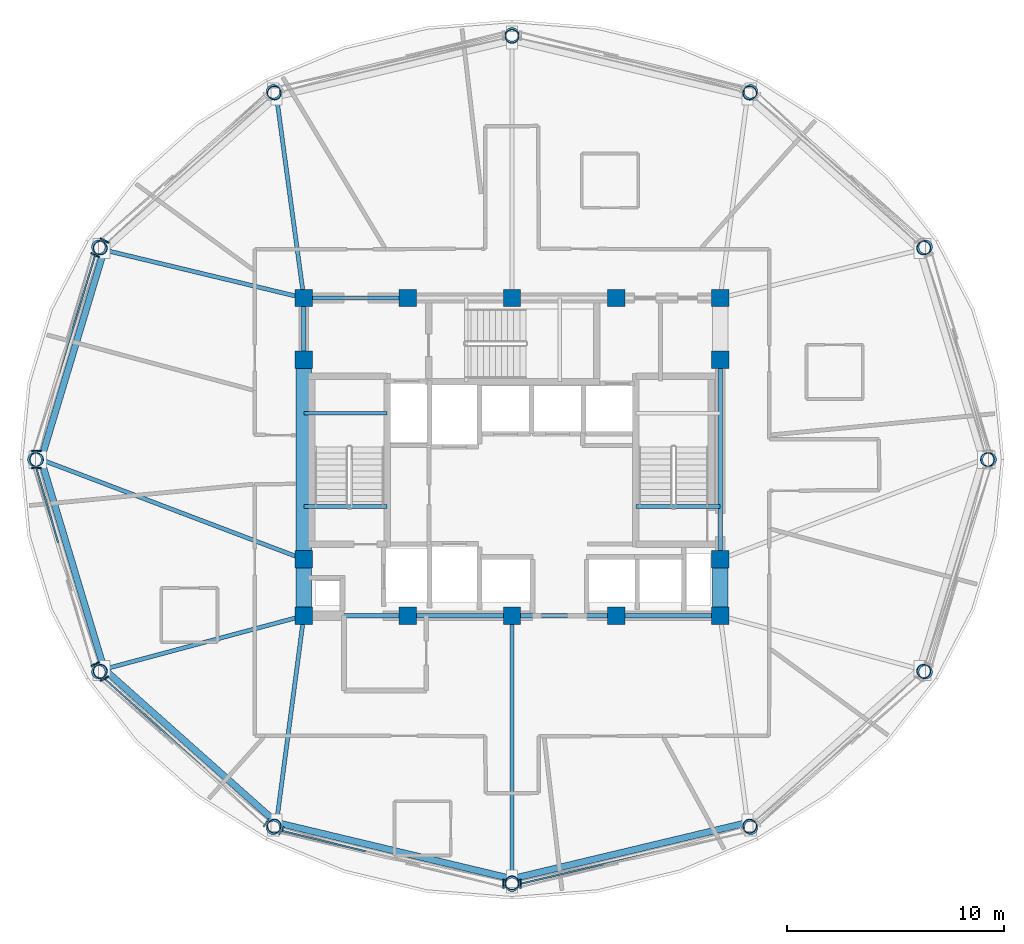
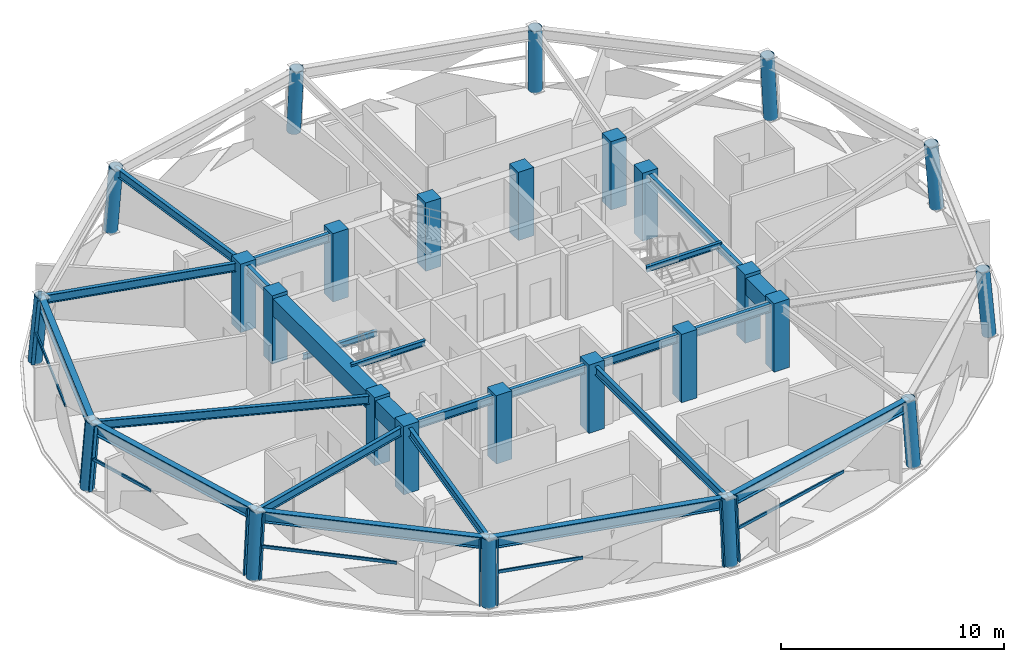
# One storey, part 1 of 11: 26 columns, 24 beams, 15 members, 6 elements without a shape of their own.
"""IFC4 building model written with IfcOpenShell, lengths in metres."""

from ifc_helpers import new_model, si_unit, direction, frame, origin, origin_2d, place, context, subcontext, project, spatial, rectangle, hollow_rectangle, hollow_circle, i_section, extrude, material, layer, layer_set, material_profile, profile_set, type_object, element, aggregate, save


model = new_model("IFC4")

# Units and contexts
model_context = context("Model", 3, precision=1e-05, world=origin(), true_north=direction((0.0, 1.0)))
body_context = subcontext(model_context, "Body", "Model", "MODEL_VIEW")
ifc_project = project(units=[si_unit("LENGTHUNIT", "METRE"), si_unit("AREAUNIT", "SQUARE_METRE"), si_unit("VOLUMEUNIT", "CUBIC_METRE"), si_unit("PLANEANGLEUNIT", "RADIAN"), si_unit("MASSUNIT", "GRAM", prefix="KILO")], contexts=[model_context])

# Site, building, storey
site_placement = place(None, origin())
site = spatial("IfcSite", under=ifc_project, at=site_placement, CompositionType="ELEMENT")
building_placement = place(site_placement, origin())
building = spatial("IfcBuilding", under=site, at=building_placement, Name="Vantalir Tower", CompositionType="ELEMENT")
storey_placement = place(building_placement, frame((0.0, 0.0, 231.14990234375)))
storey = spatial("IfcBuildingStorey", under=building, at=storey_placement, Name="L58", CompositionType="ELEMENT", Elevation=231.14990234375)

# Columns
ifc_material_1 = material(Name="Concrete C50/60", Category="concrete")
ifc_material_profile_1 = material_profile(ifc_material_1, rectangle(XDim=0.800048828125, YDim=0.800048828125, at=origin_2d()), Name="Concrete C50/60")
ifc_profile_set_1 = profile_set([ifc_material_profile_1], Name="Concrete C50/60")
column_type_1 = type_object("IfcColumnType", Name="COL-CC-800", PredefinedType="COLUMN", material=ifc_profile_set_1)
for number, where, z_axis, x_axis, name in (
    (1, (21.89990234375, 17.800048828125, 0.0), (0.0, 0.0, 1.0), (1.0, 0.0, 0.0), "L58 Core Column CC01"),
    (2, (26.699951171875, 17.800048828125, 0.0), (0.0, 0.0, 1.0), (1.0, 0.0, 0.0), "L58 Core Column CC02"),
    (3, (31.5, 17.800048828125, 0.0), (0.0, 0.0, 1.0), (1.0, 0.0, 0.0), "L58 Core Column CC03"),
    (4, (36.300048828125, 17.800048828125, 0.0), (0.0, 0.0, 1.0), (1.0, 0.0, 0.0), "L58 Core Column CC04"),
    (5, (41.10009765625, 17.800048828125, 0.0), (0.0, 0.0, 1.0), (1.0, 0.0, 0.0), "L58 Core Column CC05"),
    (6, (21.89990234375, 20.39990234375, 0.0), (0.0, 0.0, 1.0), (1.0, 0.0, 0.0), "L58 Core Column CC06"),
    (7, (21.89990234375, 29.60009765625, 0.0), (0.0, 0.0, 1.0), (1.0, 0.0, 0.0), "L58 Core Column CC07"),
    (8, (41.10009765625, 20.39990234375, 0.0), (0.0, 0.0, 1.0), (1.0, 0.0, 0.0), "L58 Core Column CC08"),
    (9, (41.10009765625, 29.60009765625, 0.0), (0.0, 0.0, 1.0), (1.0, 0.0, 0.0), "L58 Core Column CC09"),
    (10, (21.89990234375, 32.449951171875, 0.0), (0.0, 0.0, 1.0), (1.0, 0.0, 0.0), "L58 Core Column CC10"),
    (11, (26.699951171875, 32.449951171875, 0.0), (0.0, 0.0, 1.0), (1.0, 0.0, 0.0), "L58 Core Column CC11"),
    (12, (31.5, 32.449951171875, 0.0), (0.0, 0.0, 1.0), (1.0, 0.0, 0.0), "L58 Core Column CC12"),
    (13, (36.300048828125, 32.449951171875, 0.0), (0.0, 0.0, 1.0), (1.0, 0.0, 0.0), "L58 Core Column CC13"),
    (14, (41.10009765625, 32.449951171875, 0.0), (0.0, 0.0, 1.0), (1.0, 0.0, 0.0), "L58 Core Column CC14"),
):
    element("IfcColumn", number, at=place(storey_placement, frame(where, z_axis=z_axis, x_axis=x_axis)), inside=storey, type_object=column_type_1, Name=name, PredefinedType="COLUMN", context=body_context, shape_type="SweptSolid", body=[
        extrude(rectangle(XDim=0.800048828125, YDim=0.800048828125, at=origin_2d()), origin(), (0.0, 0.0, 1.0), 3.75),
    ])
ifc_material_2 = material(Name="Steel S460", Category="steel")
ifc_material_profile_2 = material_profile(ifc_material_2, hollow_circle(Radius=0.324951171875, WallThickness=0.030029296875, at=origin_2d()), Name="Steel S460")
ifc_profile_set_2 = profile_set([ifc_material_profile_2], Name="Steel S460")
column_type_2 = type_object("IfcColumnType", Name="COL-RC-650", PredefinedType="COLUMN", material=ifc_profile_set_2)
column_1_placement = place(storey_placement, frame((53.512939453125, 25.0, 0.0), z_axis=(-0.082329144084, 0.0, 0.996605193662), x_axis=(0.0, -1.0, 0.0)))
element("IfcColumn", 15, at=column_1_placement, inside=storey, type_object=column_type_2, Name="L58 Perimeter Ring Column RC01", PredefinedType="COLUMN", context=body_context, shape_type="SweptSolid", body=[
    extrude(hollow_circle(Radius=0.324951171875, WallThickness=0.030029296875, at=origin_2d()), origin(), (0.0, 0.0, 1.0), 3.582275390625),
])
column_2_placement = place(storey_placement, frame((50.56396484375, 34.798095703125, 0.0), z_axis=(-0.071435950433, -0.036876764489, 0.996763266391), x_axis=(0.458707712007, -0.888587212909, 0.0)))
element("IfcColumn", 16, at=column_2_placement, inside=storey, type_object=column_type_2, Name="L58 Perimeter Ring Column RC02", PredefinedType="COLUMN", context=body_context, shape_type="SweptSolid", body=[
    extrude(hollow_circle(Radius=0.324951171875, WallThickness=0.030029296875, at=origin_2d()), origin(), (0.0, 0.0, 1.0), 3.58154296875),
])
column_3_placement = place(storey_placement, frame((42.506103515625, 41.970947265625, 0.0), z_axis=(-0.041117747855, -0.063688186562, 0.997122432655), x_axis=(0.840124770812, -0.542393187152, 0.0)))
element("IfcColumn", 17, at=column_3_placement, inside=storey, type_object=column_type_2, Name="L58 Perimeter Ring Column RC03", PredefinedType="COLUMN", context=body_context, shape_type="SweptSolid", body=[
    extrude(hollow_circle(Radius=0.324951171875, WallThickness=0.030029296875, at=origin_2d()), origin(), (0.0, 0.0, 1.0), 3.580322265625),
])
column_4_placement = place(storey_placement, frame((31.5, 44.595947265625, 0.0), z_axis=(0.0, -0.073452147018, 0.997298742654), x_axis=(1.0, 0.0, 0.0)))
element("IfcColumn", 18, at=column_4_placement, inside=storey, type_object=column_type_2, Name="L58 Perimeter Ring Column RC04", PredefinedType="COLUMN", context=body_context, shape_type="SweptSolid", body=[
    extrude(hollow_circle(Radius=0.324951171875, WallThickness=0.030029296875, at=origin_2d()), origin(), (0.0, 0.0, 1.0), 3.579833984375),
])
column_5_placement = place(storey_placement, frame((20.493896484375, 41.970947265625, 0.0), z_axis=(0.041117747855, -0.063688186562, 0.997122432655), x_axis=(0.840124770812, 0.542393187152, 0.0)))
element("IfcColumn", 19, at=column_5_placement, inside=storey, type_object=column_type_2, Name="L58 Perimeter Ring Column RC05", PredefinedType="COLUMN", context=body_context, shape_type="SweptSolid", body=[
    extrude(hollow_circle(Radius=0.324951171875, WallThickness=0.030029296875, at=origin_2d()), origin(), (0.0, 0.0, 1.0), 3.580322265625),
])
column_6_placement = place(storey_placement, frame((12.43603515625, 34.798095703125, 0.0), z_axis=(0.071435950433, -0.036876764489, 0.996763266391), x_axis=(0.458707712007, 0.888587212909, 0.0)))
element("IfcColumn", 20, at=column_6_placement, inside=storey, type_object=column_type_2, Name="L58 Perimeter Ring Column RC06", PredefinedType="COLUMN", context=body_context, shape_type="SweptSolid", body=[
    extrude(hollow_circle(Radius=0.324951171875, WallThickness=0.030029296875, at=origin_2d()), origin(), (0.0, 0.0, 1.0), 3.58154296875),
])
column_7_placement = place(storey_placement, frame((9.487060546875, 25.0, 0.0), z_axis=(0.082329144084, 0.0, 0.996605193662), x_axis=(0.0, 1.0, 0.0)))
element("IfcColumn", 21, at=column_7_placement, inside=storey, type_object=column_type_2, Name="L58 Perimeter Ring Column RC07", PredefinedType="COLUMN", context=body_context, shape_type="SweptSolid", body=[
    extrude(hollow_circle(Radius=0.324951171875, WallThickness=0.030029296875, at=origin_2d()), origin(), (0.0, 0.0, 1.0), 3.582275390625),
])
column_8_placement = place(storey_placement, frame((12.43603515625, 15.201904296875, 0.0), z_axis=(0.071436666054, 0.036604474877, 0.996773251629), x_axis=(-0.456023534103, 0.889967716462, 0.0)))
element("IfcColumn", 22, at=column_8_placement, inside=storey, type_object=column_type_2, Name="L58 Perimeter Ring Column RC08", PredefinedType="COLUMN", context=body_context, shape_type="SweptSolid", body=[
    extrude(hollow_circle(Radius=0.324951171875, WallThickness=0.030029296875, at=origin_2d()), origin(), (0.0, 0.0, 1.0), 3.58154296875),
])
column_9_placement = place(storey_placement, frame((20.492919921875, 8.029052734375, 0.0), z_axis=(0.041390036673, 0.063687469939, 0.997111212973), x_axis=(-0.838484635216, 0.544925239375, 0.0)))
element("IfcColumn", 23, at=column_9_placement, inside=storey, type_object=column_type_2, Name="L58 Perimeter Ring Column RC09", PredefinedType="COLUMN", context=body_context, shape_type="SweptSolid", body=[
    extrude(hollow_circle(Radius=0.324951171875, WallThickness=0.030029296875, at=origin_2d()), origin(), (0.0, 0.0, 1.0), 3.580322265625),
])
column_10_placement = place(storey_placement, frame((31.5, 5.404052734375, 0.0), z_axis=(0.0, 0.073452147018, 0.997298742654), x_axis=(-1.0, 0.0, 0.0)))
element("IfcColumn", 24, at=column_10_placement, inside=storey, type_object=column_type_2, Name="L58 Perimeter Ring Column RC10", PredefinedType="COLUMN", context=body_context, shape_type="SweptSolid", body=[
    extrude(hollow_circle(Radius=0.324951171875, WallThickness=0.030029296875, at=origin_2d()), origin(), (0.0, 0.0, 1.0), 3.579833984375),
])
column_11_placement = place(storey_placement, frame((42.506103515625, 8.029052734375, 0.0), z_axis=(-0.041117747855, 0.063688186562, 0.997122432655), x_axis=(-0.840124770812, -0.542393187152, 0.0)))
element("IfcColumn", 25, at=column_11_placement, inside=storey, type_object=column_type_2, Name="L58 Perimeter Ring Column RC11", PredefinedType="COLUMN", context=body_context, shape_type="SweptSolid", body=[
    extrude(hollow_circle(Radius=0.324951171875, WallThickness=0.030029296875, at=origin_2d()), origin(), (0.0, 0.0, 1.0), 3.580322265625),
])
column_12_placement = place(storey_placement, frame((50.56396484375, 15.201904296875, 0.0), z_axis=(-0.071436666054, 0.036604474877, 0.996773251629), x_axis=(-0.456023534103, -0.889967716462, 0.0)))
element("IfcColumn", 26, at=column_12_placement, inside=storey, type_object=column_type_2, Name="L58 Perimeter Ring Column RC12", PredefinedType="COLUMN", context=body_context, shape_type="SweptSolid", body=[
    extrude(hollow_circle(Radius=0.324951171875, WallThickness=0.030029296875, at=origin_2d()), origin(), (0.0, 0.0, 1.0), 3.58154296875),
])

# Beams
ifc_material_3 = material(Name="Concrete C60/75", Category="concrete")
ifc_material_profile_3 = material_profile(ifc_material_3, rectangle(XDim=0.699951171875, YDim=0.949951171875, at=origin_2d()), Name="Concrete C60/75")
ifc_profile_set_3 = profile_set([ifc_material_profile_3], Name="Concrete C60/75")
beam_type_1 = type_object("IfcBeamType", Name="BM-CB-700x950", PredefinedType="USERDEFINED", material=ifc_profile_set_3)
beam_1_placement = place(storey_placement, frame((41.10009765625, 17.800048828125, 3.09521484375), z_axis=(0.0, 1.0, 0.0), x_axis=(-1.0, 0.0, 0.0)))
element("IfcBeam", 27, at=beam_1_placement, inside=storey, type_object=beam_type_1, Name="L58 Core Coupling Girder 05", ObjectType="GIRDER", PredefinedType="USERDEFINED", context=body_context, shape_type="SweptSolid", body=[
    extrude(rectangle(XDim=0.699951171875, YDim=0.949951171875, at=origin_2d()), origin(), (0.0, 0.0, 1.0), 2.599853515625),
])
beam_2_placement = place(storey_placement, frame((21.89990234375, 29.60009765625, 3.09521484375), z_axis=(0.0, -1.0, 0.0), x_axis=(1.0, 0.0, 0.0)))
element("IfcBeam", 28, at=beam_2_placement, inside=storey, type_object=beam_type_1, Name="L58 Core Coupling Girder 13", ObjectType="GIRDER", PredefinedType="USERDEFINED", context=body_context, shape_type="SweptSolid", body=[
    extrude(rectangle(XDim=0.699951171875, YDim=0.949951171875, at=origin_2d()), origin(), (0.0, 0.0, 1.0), 9.2001953125),
])
beam_3_placement = place(storey_placement, frame((21.89990234375, 20.39990234375, 3.09521484375), z_axis=(0.0, -1.0, 0.0), x_axis=(1.0, 0.0, 0.0)))
element("IfcBeam", 29, at=beam_3_placement, inside=storey, type_object=beam_type_1, Name="L58 Core Coupling Girder 14", ObjectType="GIRDER", PredefinedType="USERDEFINED", context=body_context, shape_type="SweptSolid", body=[
    extrude(rectangle(XDim=0.699951171875, YDim=0.949951171875, at=origin_2d()), origin(), (0.0, 0.0, 1.0), 2.599853515625),
])
ifc_material_4 = material(Name="Steel S355", Category="steel")
ifc_material_profile_4 = material_profile(ifc_material_4, i_section(OverallWidth=0.166015625, OverallDepth=0.306884765625, WebThickness=0.006591796875, FlangeThickness=0.01171875, at=origin_2d()), Name="Steel S355")
ifc_profile_set_4 = profile_set([ifc_material_profile_4], Name="Steel S355")
beam_type_2 = type_object("IfcBeamType", Name="BM-JS-305x165", PredefinedType="JOIST", material=ifc_profile_set_4)
for number, where, z_axis, x_axis, name in (
    (30, (21.89990234375, 22.8349609375, 3.59619140625), (1.0, 0.0, 0.0), (0.0, 1.0, 0.0), "L59 Stair ST1 Well Nosing Trimmer Beam"),
    (31, (21.89990234375, 27.14501953125, 1.52099609375), (1.0, 0.0, 0.0), (0.0, 1.0, 0.0), "L58 Stair ST1 Half-Landing Support Beam"),
):
    element("IfcBeam", number, at=place(storey_placement, frame(where, z_axis=z_axis, x_axis=x_axis)), inside=storey, type_object=beam_type_2, Name=name, PredefinedType="JOIST", context=body_context, shape_type="SweptSolid", body=[
        extrude(i_section(OverallWidth=0.166015625, OverallDepth=0.306884765625, WebThickness=0.006591796875, FlangeThickness=0.01171875, at=origin_2d()), origin(), (0.0, 0.0, 1.0), 3.840087890625),
    ])
beam_4_placement = place(storey_placement, frame((37.2099609375, 22.8349609375, 3.59619140625), z_axis=(1.0, 0.0, 0.0), x_axis=(0.0, 1.0, 0.0)))
element("IfcBeam", 32, at=beam_4_placement, inside=storey, type_object=beam_type_2, Name="L59 Stair ST2 Well Nosing Trimmer Beam", PredefinedType="JOIST", context=body_context, shape_type="SweptSolid", body=[
    extrude(i_section(OverallWidth=0.166015625, OverallDepth=0.306884765625, WebThickness=0.006591796875, FlangeThickness=0.01171875, at=origin_2d()), origin(), (0.0, 0.0, 1.0), 3.89013671875),
])
ifc_material_profile_5 = material_profile(ifc_material_4, i_section(OverallWidth=0.19189453125, OverallDepth=0.462890625, WebThickness=0.010498046875, FlangeThickness=0.017578125, at=origin_2d()), Name="Steel S355")
ifc_profile_set_5 = profile_set([ifc_material_profile_5], Name="Steel S355")
beam_type_3 = type_object("IfcBeamType", Name="BM-RB-457x191", PredefinedType="BEAM", material=ifc_profile_set_5)
for number, where, z_axis, x_axis, name in (
    (33, (21.89990234375, 17.800048828125, 3.338134765625), (1.0, 0.0, 0.0), (0.0, 1.0, 0.0), "L58 Core Coupling Girder 01"),
    (34, (26.699951171875, 17.800048828125, 3.338134765625), (1.0, 0.0, 0.0), (0.0, 1.0, 0.0), "L58 Core Coupling Girder 02"),
    (35, (31.5, 17.800048828125, 3.338134765625), (1.0, 0.0, 0.0), (0.0, 1.0, 0.0), "L58 Core Coupling Girder 03"),
    (36, (36.300048828125, 17.800048828125, 3.338134765625), (1.0, 0.0, 0.0), (0.0, 1.0, 0.0), "L58 Core Coupling Girder 04"),
):
    element("IfcBeam", number, at=place(storey_placement, frame(where, z_axis=z_axis, x_axis=x_axis)), inside=storey, type_object=beam_type_3, Name=name, PredefinedType="BEAM", context=body_context, shape_type="SweptSolid", body=[
        extrude(i_section(OverallWidth=0.19189453125, OverallDepth=0.462890625, WebThickness=0.010498046875, FlangeThickness=0.017578125, at=origin_2d()), origin(), (0.0, 0.0, 1.0), 4.800048828125),
    ])
beam_5_placement = place(storey_placement, frame((41.10009765625, 20.39990234375, 3.338134765625), z_axis=(0.0, 1.0, 0.0), x_axis=(-1.0, 0.0, 0.0)))
element("IfcBeam", 37, at=beam_5_placement, inside=storey, type_object=beam_type_3, Name="L58 Core Coupling Girder 06", PredefinedType="BEAM", context=body_context, shape_type="SweptSolid", body=[
    extrude(i_section(OverallWidth=0.19189453125, OverallDepth=0.462890625, WebThickness=0.010498046875, FlangeThickness=0.017578125, at=origin_2d()), origin(), (0.0, 0.0, 1.0), 9.2001953125),
])
beam_6_placement = place(storey_placement, frame((26.699951171875, 32.449951171875, 3.338134765625), z_axis=(-1.0, 0.0, 0.0), x_axis=(0.0, -1.0, 0.0)))
element("IfcBeam", 38, at=beam_6_placement, inside=storey, type_object=beam_type_3, Name="L58 Core Coupling Girder 11", PredefinedType="BEAM", context=body_context, shape_type="SweptSolid", body=[
    extrude(i_section(OverallWidth=0.19189453125, OverallDepth=0.462890625, WebThickness=0.010498046875, FlangeThickness=0.017578125, at=origin_2d()), origin(), (0.0, 0.0, 1.0), 4.800048828125),
])
beam_7_placement = place(storey_placement, frame((21.89990234375, 32.449951171875, 3.338134765625), z_axis=(0.0, -1.0, 0.0), x_axis=(1.0, 0.0, 0.0)))
element("IfcBeam", 39, at=beam_7_placement, inside=storey, type_object=beam_type_3, Name="L58 Core Coupling Girder 12", PredefinedType="BEAM", context=body_context, shape_type="SweptSolid", body=[
    extrude(i_section(OverallWidth=0.19189453125, OverallDepth=0.462890625, WebThickness=0.010498046875, FlangeThickness=0.017578125, at=origin_2d()), origin(), (0.0, 0.0, 1.0), 2.849853515625),
])
beam_8_placement = place(storey_placement, frame((20.64111328125, 41.742919921875, 3.338134765625), z_axis=(0.134230220125, -0.99095017433, 0.0), x_axis=(0.99095017433, 0.134230220125, 0.0)))
element("IfcBeam", 40, at=beam_8_placement, inside=storey, type_object=beam_type_3, Name="L58 Radial Floor Beam 05", PredefinedType="BEAM", context=body_context, shape_type="SweptSolid", body=[
    extrude(i_section(OverallWidth=0.19189453125, OverallDepth=0.462890625, WebThickness=0.010498046875, FlangeThickness=0.017578125, at=origin_2d()), origin(), (0.0, 0.0, 1.0), 9.3779296875),
])
beam_9_placement = place(storey_placement, frame((12.69189453125, 34.666015625, 3.338134765625), z_axis=(0.972239928785, -0.233986155308, 0.0), x_axis=(0.233986155308, 0.972239928785, 0.0)))
element("IfcBeam", 41, at=beam_9_placement, inside=storey, type_object=beam_type_3, Name="L58 Radial Floor Beam 06", PredefinedType="BEAM", context=body_context, shape_type="SweptSolid", body=[
    extrude(i_section(OverallWidth=0.19189453125, OverallDepth=0.462890625, WebThickness=0.010498046875, FlangeThickness=0.017578125, at=origin_2d()), origin(), (0.0, 0.0, 1.0), 9.470947265625),
])
beam_10_placement = place(storey_placement, frame((9.781982421875, 25.0, 3.338134765625), z_axis=(0.934904236312, -0.354900083018, 0.0), x_axis=(0.354900083018, 0.934904236312, 0.0)))
element("IfcBeam", 42, at=beam_10_placement, inside=storey, type_object=beam_type_3, Name="L58 Radial Floor Beam 07", PredefinedType="BEAM", context=body_context, shape_type="SweptSolid", body=[
    extrude(i_section(OverallWidth=0.19189453125, OverallDepth=0.462890625, WebThickness=0.010498046875, FlangeThickness=0.017578125, at=origin_2d()), origin(), (0.0, 0.0, 1.0), 12.961669921875),
])
beam_11_placement = place(storey_placement, frame((12.69189453125, 15.3330078125, 3.338134765625), z_axis=(0.965932047749, 0.25879582518, 0.0), x_axis=(-0.25879582518, 0.965932047749, 0.0)))
element("IfcBeam", 43, at=beam_11_placement, inside=storey, type_object=beam_type_3, Name="L58 Radial Floor Beam 08", PredefinedType="BEAM", context=body_context, shape_type="SweptSolid", body=[
    extrude(i_section(OverallWidth=0.19189453125, OverallDepth=0.462890625, WebThickness=0.010498046875, FlangeThickness=0.017578125, at=origin_2d()), origin(), (0.0, 0.0, 1.0), 9.53271484375),
])
beam_12_placement = place(storey_placement, frame((20.64111328125, 8.257080078125, 3.338134765625), z_axis=(0.130774684438, 0.991412115071, 0.0), x_axis=(-0.991412115071, 0.130774684438, 0.0)))
element("IfcBeam", 44, at=beam_12_placement, inside=storey, type_object=beam_type_3, Name="L58 Radial Floor Beam 09", PredefinedType="BEAM", context=body_context, shape_type="SweptSolid", body=[
    extrude(i_section(OverallWidth=0.19189453125, OverallDepth=0.462890625, WebThickness=0.010498046875, FlangeThickness=0.017578125, at=origin_2d()), origin(), (0.0, 0.0, 1.0), 9.625732421875),
])
beam_13_placement = place(storey_placement, frame((31.5, 5.6669921875, 3.338134765625), z_axis=(0.0, 1.0, 0.0), x_axis=(-1.0, 0.0, 0.0)))
element("IfcBeam", 45, at=beam_13_placement, inside=storey, type_object=beam_type_3, Name="L58 Radial Floor Beam 10", PredefinedType="BEAM", context=body_context, shape_type="SweptSolid", body=[
    extrude(i_section(OverallWidth=0.19189453125, OverallDepth=0.462890625, WebThickness=0.010498046875, FlangeThickness=0.017578125, at=origin_2d()), origin(), (0.0, 0.0, 1.0), 12.133056640625),
])
ifc_material_profile_6 = material_profile(ifc_material_2, i_section(OverallWidth=0.306884765625, OverallDepth=0.6201171875, WebThickness=0.01416015625, FlangeThickness=0.023681640625, at=origin_2d()), Name="Steel S460")
ifc_profile_set_6 = profile_set([ifc_material_profile_6], Name="Steel S460")
beam_type_4 = type_object("IfcBeamType", Name="BM-RG-610x305", PredefinedType="USERDEFINED", material=ifc_profile_set_6)
beam_14_placement = place(storey_placement, frame((12.69189453125, 34.666015625, 3.260009765625), z_axis=(-0.288266356679, -0.95755026375, 0.0), x_axis=(0.95755026375, -0.288266356679, 0.0)))
element("IfcBeam", 46, at=beam_14_placement, inside=storey, type_object=beam_type_4, Name="L58 Circumferential Ring Girder 06", ObjectType="GIRDER", PredefinedType="USERDEFINED", context=body_context, shape_type="SweptSolid", body=[
    extrude(i_section(OverallWidth=0.306884765625, OverallDepth=0.6201171875, WebThickness=0.01416015625, FlangeThickness=0.023681640625, at=origin_2d()), origin(), (0.0, 0.0, 1.0), 10.094482421875),
])
beam_15_placement = place(storey_placement, frame((9.781982421875, 25.0, 3.260009765625), z_axis=(0.288239655449, -0.957558301633, 0.0), x_axis=(0.957558301633, 0.288239655449, 0.0)))
element("IfcBeam", 47, at=beam_15_placement, inside=storey, type_object=beam_type_4, Name="L58 Circumferential Ring Girder 07", ObjectType="GIRDER", PredefinedType="USERDEFINED", context=body_context, shape_type="SweptSolid", body=[
    extrude(i_section(OverallWidth=0.306884765625, OverallDepth=0.6201171875, WebThickness=0.01416015625, FlangeThickness=0.023681640625, at=origin_2d()), origin(), (0.0, 0.0, 1.0), 10.095458984375),
])
beam_16_placement = place(storey_placement, frame((12.69189453125, 15.3330078125, 3.260009765625), z_axis=(0.746944629215, -0.664886246577, 0.0), x_axis=(0.664886246577, 0.746944629215, 0.0)))
element("IfcBeam", 48, at=beam_16_placement, inside=storey, type_object=beam_type_4, Name="L58 Circumferential Ring Girder 08", ObjectType="GIRDER", PredefinedType="USERDEFINED", context=body_context, shape_type="SweptSolid", body=[
    extrude(i_section(OverallWidth=0.306884765625, OverallDepth=0.6201171875, WebThickness=0.01416015625, FlangeThickness=0.023681640625, at=origin_2d()), origin(), (0.0, 0.0, 1.0), 10.642333984375),
])
for number, where, z_axis, x_axis, name in (
    (49, (20.64111328125, 8.257080078125, 3.260009765625), (0.97271250926, -0.23201373737, 0.0), (0.23201373737, 0.97271250926, 0.0), "L58 Circumferential Ring Girder 09"),
    (50, (31.5, 5.6669921875, 3.260009765625), (0.97271250926, 0.23201373737, 0.0), (-0.23201373737, 0.97271250926, 0.0), "L58 Circumferential Ring Girder 10"),
):
    element("IfcBeam", number, at=place(storey_placement, frame(where, z_axis=z_axis, x_axis=x_axis)), inside=storey, type_object=beam_type_4, Name=name, ObjectType="GIRDER", PredefinedType="USERDEFINED", context=body_context, shape_type="SweptSolid", body=[
        extrude(i_section(OverallWidth=0.306884765625, OverallDepth=0.6201171875, WebThickness=0.01416015625, FlangeThickness=0.023681640625, at=origin_2d()), origin(), (0.0, 0.0, 1.0), 11.16357421875),
    ])

# Curtain wall, member
ifc_material_5 = material(Name="Champagne-silver PVDF aluminium and double-silver Low-E glass", Category="aluminium")
ifc_layer = layer(ifc_material_5, 0.2099609375)
ifc_layer_set = layer_set([ifc_layer], Name="Champagne-silver PVDF aluminium and double-silver Low-E glass")
curtain_wall_type = type_object("IfcCurtainWallType", Name="CW-DIAMOND-Z3", PredefinedType="USERDEFINED", material=ifc_layer_set)
curtain_wall_1_placement = place(storey_placement, origin())
curtain_wall_1 = element("IfcCurtainWall", 51, at=curtain_wall_1_placement, inside=storey, type_object=curtain_wall_type, Name="L58 Quilted Pyramid-Diamond Curtain Wall S05", ObjectType="UNITISED CURTAIN WALL", PredefinedType="USERDEFINED")
ifc_material_6 = material(Name="Champagne-silver PVDF aluminium 6063-T6", Category="aluminium")
ifc_material_profile_7 = material_profile(ifc_material_6, hollow_rectangle(XDim=0.070068359375, YDim=0.1650390625, WallThickness=0.00390625, at=origin_2d()), Name="Champagne-silver PVDF aluminium 6063-T6")
ifc_profile_set_7 = profile_set([ifc_material_profile_7], Name="Champagne-silver PVDF aluminium 6063-T6")
member_type_1 = type_object("IfcMemberType", Name="CWM-165x70", PredefinedType="MULLION", material=ifc_profile_set_7)
member_1_placement = place(storey_placement, frame((12.577880859375, 35.166015625, 0.045166015625), z_axis=(0.073064200388, -0.037825581253, 0.996609676867), x_axis=(0.459746549126, 0.888050173451, 0.0)))
member_1 = element("IfcMember", 52, at=member_1_placement, type_object=member_type_1, Name="CW-L58-S05 Mullion 2", PredefinedType="MULLION", context=body_context, shape_type="SweptSolid", body=[
    extrude(hollow_rectangle(XDim=0.070068359375, YDim=0.1650390625, WallThickness=0.00390625, at=origin_2d()), origin(), (0.0, 0.0, 1.0), 3.49169921875),
])
aggregate(curtain_wall_1, [member_1])

# Curtain wall, members
curtain_wall_2_placement = place(storey_placement, origin())
curtain_wall_2 = element("IfcCurtainWall", 53, at=curtain_wall_2_placement, inside=storey, type_object=curtain_wall_type, Name="L58 Quilted Pyramid-Diamond Curtain Wall S06", ObjectType="UNITISED CURTAIN WALL", PredefinedType="USERDEFINED")
member_2_placement = place(storey_placement, frame((12.154052734375, 34.5, 0.045166015625), z_axis=(0.072994655208, -0.037825774394, 0.996614765645), x_axis=(0.460093734226, 0.887870348489, 0.0)))
member_2 = element("IfcMember", 54, at=member_2_placement, type_object=member_type_1, Name="CW-L58-S06 Mullion 1", PredefinedType="MULLION", context=body_context, shape_type="SweptSolid", body=[
    extrude(hollow_rectangle(XDim=0.070068359375, YDim=0.1650390625, WallThickness=0.00390625, at=origin_2d()), origin(), (0.0, 0.0, 1.0), 3.49169921875),
])
member_3_placement = place(storey_placement, frame((9.4150390625, 25.39306640625, 0.045166015625), z_axis=(0.084445429455, 0.0, 0.996428105507), x_axis=(0.0, 1.0, 0.0)))
member_3 = element("IfcMember", 55, at=member_3_placement, type_object=member_type_1, Name="CW-L58-S06 Mullion 2", PredefinedType="MULLION", context=body_context, shape_type="SweptSolid", body=[
    extrude(hollow_rectangle(XDim=0.070068359375, YDim=0.1650390625, WallThickness=0.00390625, at=origin_2d()), origin(), (0.0, 0.0, 1.0), 3.492431640625),
])

curtain_wall_3_placement = place(storey_placement, origin())
curtain_wall_3 = element("IfcCurtainWall", 56, at=curtain_wall_3_placement, inside=storey, type_object=curtain_wall_type, Name="L58 Quilted Pyramid-Diamond Curtain Wall S07", ObjectType="UNITISED CURTAIN WALL", PredefinedType="USERDEFINED")
member_4_placement = place(storey_placement, frame((9.4150390625, 24.60693359375, 0.045166015625), z_axis=(0.084445429455, 0.0, 0.996428105507), x_axis=(0.0, 1.0, 0.0)))
member_4 = element("IfcMember", 57, at=member_4_placement, type_object=member_type_1, Name="CW-L58-S07 Mullion 1", PredefinedType="MULLION", context=body_context, shape_type="SweptSolid", body=[
    extrude(hollow_rectangle(XDim=0.070068359375, YDim=0.1650390625, WallThickness=0.00390625, at=origin_2d()), origin(), (0.0, 0.0, 1.0), 3.492431640625),
])
member_5_placement = place(storey_placement, frame((12.154052734375, 15.5, 0.045166015625), z_axis=(0.072995424565, 0.037546497118, 0.996625269872), x_axis=(-0.457405750119, 0.889258106377, 0.0)))
member_5 = element("IfcMember", 58, at=member_5_placement, type_object=member_type_1, Name="CW-L58-S07 Mullion 2", PredefinedType="MULLION", context=body_context, shape_type="SweptSolid", body=[
    extrude(hollow_rectangle(XDim=0.070068359375, YDim=0.1650390625, WallThickness=0.00390625, at=origin_2d()), origin(), (0.0, 0.0, 1.0), 3.49169921875),
])

curtain_wall_4_placement = place(storey_placement, origin())
curtain_wall_4 = element("IfcCurtainWall", 59, at=curtain_wall_4_placement, inside=storey, type_object=curtain_wall_type, Name="L58 Quilted Pyramid-Diamond Curtain Wall S08", ObjectType="UNITISED CURTAIN WALL", PredefinedType="USERDEFINED")
member_6_placement = place(storey_placement, frame((12.577880859375, 14.833984375, 0.045166015625), z_axis=(0.07306497047, 0.037546305399, 0.996620180932), x_axis=(-0.457059514772, 0.889436113477, 0.0)))
member_6 = element("IfcMember", 60, at=member_6_placement, type_object=member_type_1, Name="CW-L58-S08 Mullion 1", PredefinedType="MULLION", context=body_context, shape_type="SweptSolid", body=[
    extrude(hollow_rectangle(XDim=0.070068359375, YDim=0.1650390625, WallThickness=0.00390625, at=origin_2d()), origin(), (0.0, 0.0, 1.0), 3.49169921875),
])
member_7_placement = place(storey_placement, frame((20.092041015625, 8.137939453125, 0.045166015625), z_axis=(0.042385280982, 0.065326489171, 0.996963358288), x_axis=(-0.838894783542, 0.544293617587, 0.0)))
member_7 = element("IfcMember", 61, at=member_7_placement, type_object=member_type_1, Name="CW-L58-S08 Mullion 2", PredefinedType="MULLION", context=body_context, shape_type="SweptSolid", body=[
    extrude(hollow_rectangle(XDim=0.070068359375, YDim=0.1650390625, WallThickness=0.00390625, at=origin_2d()), origin(), (0.0, 0.0, 1.0), 3.490478515625),
])

curtain_wall_5_placement = place(storey_placement, origin())
curtain_wall_5 = element("IfcCurtainWall", 62, at=curtain_wall_5_placement, inside=storey, type_object=curtain_wall_type, Name="L58 Quilted Pyramid-Diamond Curtain Wall S09", ObjectType="UNITISED CURTAIN WALL", PredefinedType="USERDEFINED")
member_8_placement = place(storey_placement, frame((20.797119140625, 7.77001953125, 0.045166015625), z_axis=(0.042385280982, 0.065326489171, 0.996963358288), x_axis=(-0.838894783542, 0.544293617587, 0.0)))
member_8 = element("IfcMember", 63, at=member_8_placement, type_object=member_type_1, Name="CW-L58-S09 Mullion 1", PredefinedType="MULLION", context=body_context, shape_type="SweptSolid", body=[
    extrude(hollow_rectangle(XDim=0.070068359375, YDim=0.1650390625, WallThickness=0.00390625, at=origin_2d()), origin(), (0.0, 0.0, 1.0), 3.490478515625),
])
member_9_placement = place(storey_placement, frame((31.10107421875, 5.30908203125, 0.045166015625), z_axis=(0.0, 0.075342978786, 0.997157678378), x_axis=(-1.0, 0.0, 0.0)))
member_9 = element("IfcMember", 64, at=member_9_placement, type_object=member_type_1, Name="CW-L58-S09 Mullion 2", PredefinedType="MULLION", context=body_context, shape_type="SweptSolid", body=[
    extrude(hollow_rectangle(XDim=0.070068359375, YDim=0.1650390625, WallThickness=0.00390625, at=origin_2d()), origin(), (0.0, 0.0, 1.0), 3.489990234375),
])

# Curtain wall, member
curtain_wall_6_placement = place(storey_placement, origin())
curtain_wall_6 = element("IfcCurtainWall", 65, at=curtain_wall_6_placement, inside=storey, type_object=curtain_wall_type, Name="L58 Quilted Pyramid-Diamond Curtain Wall S10", ObjectType="UNITISED CURTAIN WALL", PredefinedType="USERDEFINED")
member_10_placement = place(storey_placement, frame((31.89892578125, 5.30908203125, 0.045166015625), z_axis=(0.0, 0.075342978786, 0.997157678378), x_axis=(-1.0, 0.0, 0.0)))
member_10 = element("IfcMember", 66, at=member_10_placement, type_object=member_type_1, Name="CW-L58-S10 Mullion 1", PredefinedType="MULLION", context=body_context, shape_type="SweptSolid", body=[
    extrude(hollow_rectangle(XDim=0.070068359375, YDim=0.1650390625, WallThickness=0.00390625, at=origin_2d()), origin(), (0.0, 0.0, 1.0), 3.489990234375),
])

# Member
ifc_material_profile_8 = material_profile(ifc_material_6, hollow_rectangle(XDim=0.074951171875, YDim=0.159912109375, WallThickness=0.00390625, at=origin_2d()), Name="Champagne-silver PVDF aluminium 6063-T6")
ifc_profile_set_8 = profile_set([ifc_material_profile_8], Name="Champagne-silver PVDF aluminium 6063-T6")
member_type_2 = type_object("IfcMemberType", Name="CWT-160x75", PredefinedType="USERDEFINED", material=ifc_profile_set_8)
member_11_placement = place(storey_placement, frame((12.281005859375, 34.43408203125, 1.78515625), z_axis=(-0.291835086884, -0.956468651898, 0.0), x_axis=(0.956468651898, -0.291835086884, 0.0)))
member_11 = element("IfcMember", 67, at=member_11_placement, type_object=member_type_2, Name="CW-L58-S06 Pyramid Fold Ridge Transom", ObjectType="TRANSOM", PredefinedType="USERDEFINED", context=body_context, shape_type="SweptSolid", body=[
    extrude(hollow_rectangle(XDim=0.074951171875, YDim=0.159912109375, WallThickness=0.00390625, at=origin_2d()), origin(), (0.0, 0.0, 1.0), 5.85595703125),
])

aggregate(curtain_wall_2, [member_2, member_3, member_11])

member_12_placement = place(storey_placement, frame((9.56298828125, 24.60693359375, 1.78515625), z_axis=(0.281469387461, -0.959570207917, 0.0), x_axis=(0.959570207917, 0.281469387461, 0.0)))
member_12 = element("IfcMember", 68, at=member_12_placement, type_object=member_type_2, Name="CW-L58-S07 Pyramid Fold Ridge Transom", ObjectType="TRANSOM", PredefinedType="USERDEFINED", context=body_context, shape_type="SweptSolid", body=[
    extrude(hollow_rectangle(XDim=0.074951171875, YDim=0.159912109375, WallThickness=0.00390625, at=origin_2d()), origin(), (0.0, 0.0, 1.0), 3.5849609375),
])

aggregate(curtain_wall_3, [member_4, member_5, member_12])

member_13_placement = place(storey_placement, frame((12.7060546875, 14.89990234375, 1.78515625), z_axis=(0.74395232944, -0.668232692646, 0.0), x_axis=(0.668232692646, 0.74395232944, 0.0)))
member_13 = element("IfcMember", 69, at=member_13_placement, type_object=member_type_2, Name="CW-L58-S08 Pyramid Fold Ridge Transom", ObjectType="TRANSOM", PredefinedType="USERDEFINED", context=body_context, shape_type="SweptSolid", body=[
    extrude(hollow_rectangle(XDim=0.074951171875, YDim=0.159912109375, WallThickness=0.00390625, at=origin_2d()), origin(), (0.0, 0.0, 1.0), 6.19384765625),
])

aggregate(curtain_wall_4, [member_6, member_7, member_13])

member_14_placement = place(storey_placement, frame((20.87109375, 7.884033203125, 1.78515625), z_axis=(0.971239924094, -0.238102939599, 0.0), x_axis=(0.238102939599, 0.971239924094, 0.0)))
member_14 = element("IfcMember", 70, at=member_14_placement, type_object=member_type_2, Name="CW-L58-S09 Pyramid Fold Ridge Transom", ObjectType="TRANSOM", PredefinedType="USERDEFINED", context=body_context, shape_type="SweptSolid", body=[
    extrude(hollow_rectangle(XDim=0.074951171875, YDim=0.159912109375, WallThickness=0.00390625, at=origin_2d()), origin(), (0.0, 0.0, 1.0), 3.99365234375),
])

aggregate(curtain_wall_5, [member_8, member_9, member_14])

member_15_placement = place(storey_placement, frame((31.89892578125, 5.44091796875, 1.78515625), z_axis=(0.973491714992, 0.228722278851, 0.0), x_axis=(-0.228722278851, 0.973491714992, 0.0)))
member_15 = element("IfcMember", 71, at=member_15_placement, type_object=member_type_2, Name="CW-L58-S10 Pyramid Fold Ridge Transom", ObjectType="TRANSOM", PredefinedType="USERDEFINED", context=body_context, shape_type="SweptSolid", body=[
    extrude(hollow_rectangle(XDim=0.074951171875, YDim=0.159912109375, WallThickness=0.00390625, at=origin_2d()), origin(), (0.0, 0.0, 1.0), 6.52392578125),
])

aggregate(curtain_wall_6, [member_10, member_15])

save(model, "model.ifc")
